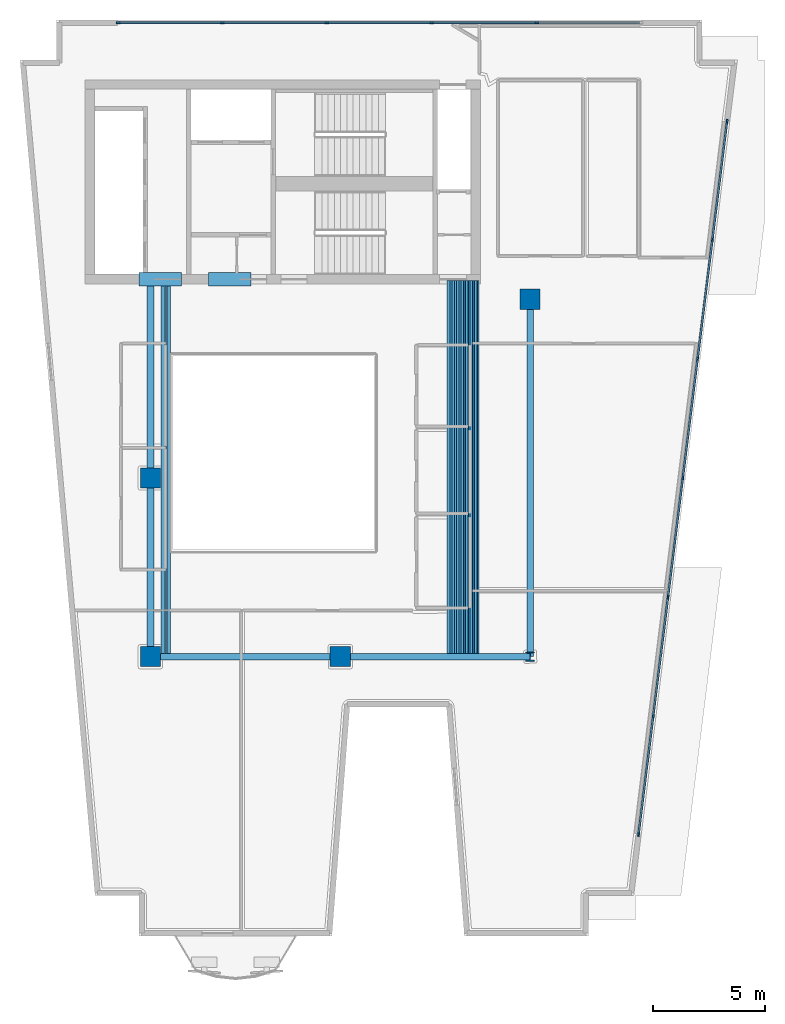
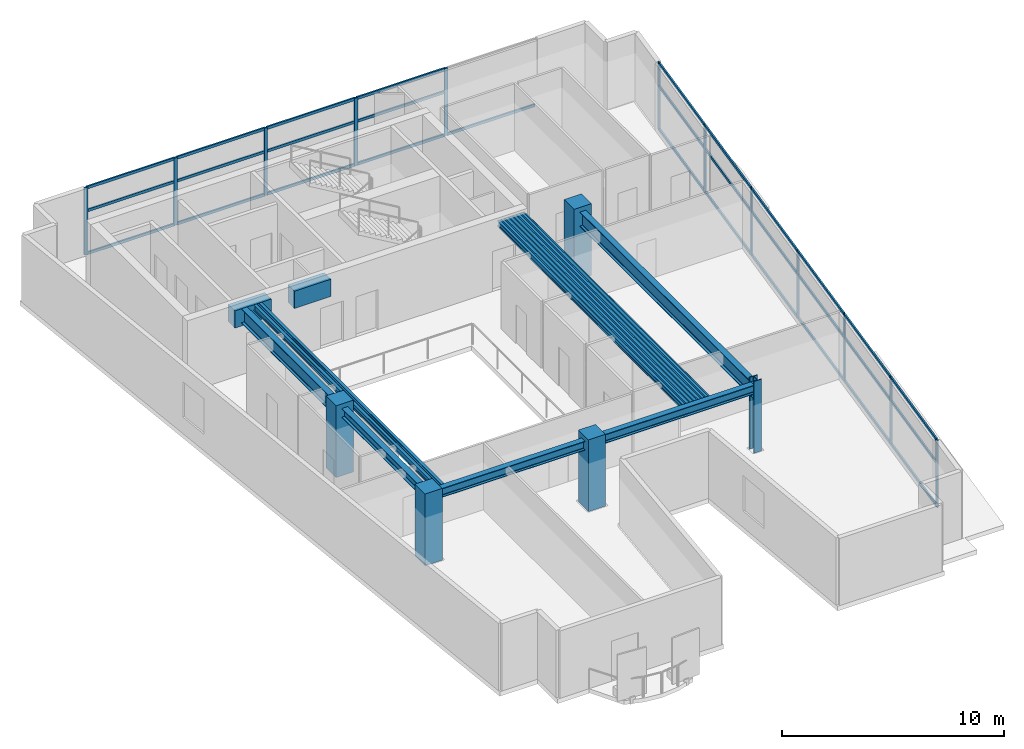
# One storey, part 1 of 8: 43 members, 24 beams, 5 columns, 2 elements without a shape of their own.
"""IFC4 building model written with IfcOpenShell, lengths in metres."""

from ifc_helpers import new_model, si_unit, direction, frame, origin, origin_2d, place, context, subcontext, project, spatial, rectangle, hollow_rectangle, i_section, extrude, material, layer, layer_set, material_profile, profile_set, type_object, element, aggregate, save


model = new_model("IFC4")

# Units and contexts
model_context = context("Model", 3, precision=1e-05, world=origin(), true_north=direction((0.0, 1.0)))
body_context = subcontext(model_context, "Body", "Model", "MODEL_VIEW")
ifc_project = project(units=[si_unit("LENGTHUNIT", "METRE"), si_unit("AREAUNIT", "SQUARE_METRE"), si_unit("VOLUMEUNIT", "CUBIC_METRE"), si_unit("PLANEANGLEUNIT", "RADIAN"), si_unit("MASSUNIT", "GRAM", prefix="KILO")], contexts=[model_context])

# Site, building, storey
site_placement = place(None, origin())
site = spatial("IfcSite", under=ifc_project, at=site_placement, CompositionType="ELEMENT")
building_placement = place(site_placement, origin())
building = spatial("IfcBuilding", under=site, at=building_placement, Name="Caeloran Harvest Quay", CompositionType="ELEMENT")
storey_placement = place(building_placement, frame((0.0, 0.0, 256.699951171875)))
storey = spatial("IfcBuildingStorey", under=building, at=storey_placement, Name="L61", CompositionType="ELEMENT", Elevation=256.699951171875)

# Columns
ifc_material_1 = material(Name="Concrete C60/75", Category="concrete")
ifc_material_profile_1 = material_profile(ifc_material_1, rectangle(XDim=0.89990234375, YDim=0.89990234375, at=origin_2d()), Name="RC 900x900")
ifc_profile_set_1 = profile_set([ifc_material_profile_1], Name="Concrete C60/75")
column_type_1 = type_object("IfcColumnType", Name="COL-MC-4-RC_900x900", PredefinedType="COLUMN", material=ifc_profile_set_1)
for number, where, z_axis, x_axis, name in (
    (1, (8.5, 15.0, 0.0), (0.0, 0.0, 1.0), (1.0, 0.0, 0.0), "L61 Structural Column (8.5, 15.0)"),
    (2, (8.5, 23.0, 0.0), (0.0, 0.0, 1.0), (1.0, 0.0, 0.0), "L61 Structural Column (8.5, 23.0)"),
    (3, (17.0, 15.0, 0.0), (0.0, 0.0, 1.0), (1.0, 0.0, 0.0), "L61 Structural Column (17.0, 15.0)"),
    (4, (25.5, 31.0, 0.0), (0.0, 0.0, 1.0), (1.0, 0.0, 0.0), "L61 Structural Column (25.5, 31.0)"),
):
    element("IfcColumn", number, at=place(storey_placement, frame(where, z_axis=z_axis, x_axis=x_axis)), inside=storey, type_object=column_type_1, Name=name, PredefinedType="COLUMN", context=body_context, shape_type="SweptSolid", body=[
        extrude(rectangle(XDim=0.89990234375, YDim=0.89990234375, at=origin_2d()), origin(), (0.0, 0.0, 1.0), 3.949951171875),
    ])
ifc_material_2 = material(Name="Steel HISTAR 460", Category="steel")
ifc_material_profile_2 = material_profile(ifc_material_2, i_section(OverallWidth=0.406005859375, OverallDepth=0.416015625, WebThickness=0.02978515625, FlangeThickness=0.048095703125, FilletRadius=0.014892578125, at=origin_2d()), Name="HD 400x382")
ifc_profile_set_2 = profile_set([ifc_material_profile_2], Name="Steel HISTAR 460")
column_type_2 = type_object("IfcColumnType", Name="COL-SC-5-HD_400x382", PredefinedType="COLUMN", material=ifc_profile_set_2)
column_placement = place(storey_placement, frame((25.5, 15.0, 0.0), z_axis=(0.0, 0.0, 1.0), x_axis=(1.0, 0.0, 0.0)))
element("IfcColumn", 5, at=column_placement, inside=storey, type_object=column_type_2, Name="L61 Structural Column (25.5, 15.0)", PredefinedType="COLUMN", context=body_context, shape_type="SweptSolid", body=[
    extrude(i_section(OverallWidth=0.406005859375, OverallDepth=0.416015625, WebThickness=0.02978515625, FlangeThickness=0.048095703125, FilletRadius=0.014892578125, at=origin_2d()), origin(), (0.0, 0.0, 1.0), 3.949951171875),
])

# Beams
ifc_material_profile_3 = material_profile(ifc_material_1, rectangle(XDim=0.60009765625, YDim=0.949951171875, at=origin_2d()), Name="RC 600x950")
ifc_profile_set_3 = profile_set([ifc_material_profile_3], Name="Concrete C60/75")
beam_type_1 = type_object("IfcBeamType", Name="BM-CB-2-RC_600x950", PredefinedType="LINTEL", material=ifc_profile_set_3)
for number, where, z_axis, x_axis, name in (
    (6, (8.0, 31.889892578125, 3.22509765625), (1.0, 0.0, 0.0), (0.0, 1.0, 0.0), "L61 Core Coupling Beam 1"),
    (7, (11.10009765625, 31.889892578125, 3.22509765625), (1.0, 0.0, 0.0), (0.0, 1.0, 0.0), "L61 Core Coupling Beam 2"),
):
    element("IfcBeam", number, at=place(storey_placement, frame(where, z_axis=z_axis, x_axis=x_axis)), inside=storey, type_object=beam_type_1, Name=name, PredefinedType="LINTEL", context=body_context, shape_type="SweptSolid", body=[
        extrude(rectangle(XDim=0.60009765625, YDim=0.949951171875, at=origin_2d()), origin(), (0.0, 0.0, 1.0), 1.89990234375),
    ])
ifc_material_3 = material(Name="Steel S355J2", Category="steel")
ifc_material_profile_4 = material_profile(ifc_material_3, i_section(OverallWidth=0.300048828125, OverallDepth=0.800048828125, WebThickness=0.017578125, FlangeThickness=0.032958984375, FilletRadius=0.030029296875, at=origin_2d()), Name="HE 800 B")
ifc_profile_set_4 = profile_set([ifc_material_profile_4], Name="Steel S355J2")
beam_type_2 = type_object("IfcBeamType", Name="BM-PG-1-HE_800_B", PredefinedType="BEAM", material=ifc_profile_set_4)
beam_1_placement = place(storey_placement, frame((8.5, 23.0, 3.300048828125), z_axis=(0.0, 1.0, 0.0), x_axis=(-1.0, 0.0, 0.0)))
element("IfcBeam", 8, at=beam_1_placement, inside=storey, type_object=beam_type_2, Name="L61 Core South Tie Girder X=8.5", PredefinedType="BEAM", context=body_context, shape_type="SweptSolid", body=[
    extrude(i_section(OverallWidth=0.300048828125, OverallDepth=0.800048828125, WebThickness=0.017578125, FlangeThickness=0.032958984375, FilletRadius=0.030029296875, at=origin_2d()), origin(), (0.0, 0.0, 1.0), 8.840087890625),
])
beam_2_placement = place(storey_placement, frame((25.5, 15.0, 3.300048828125), z_axis=(0.0, 1.0, 0.0), x_axis=(-1.0, 0.0, 0.0)))
element("IfcBeam", 9, at=beam_2_placement, inside=storey, type_object=beam_type_2, Name="L61 Primary North-South Girder X=25.5", PredefinedType="BEAM", context=body_context, shape_type="SweptSolid", body=[
    extrude(i_section(OverallWidth=0.300048828125, OverallDepth=0.800048828125, WebThickness=0.017578125, FlangeThickness=0.032958984375, FilletRadius=0.030029296875, at=origin_2d()), origin(), (0.0, 0.0, 1.0), 16.0),
])
ifc_material_profile_5 = material_profile(ifc_material_3, i_section(OverallWidth=0.300048828125, OverallDepth=0.5, WebThickness=0.014404296875, FlangeThickness=0.028076171875, FilletRadius=0.027099609375, at=origin_2d()), Name="HE 500 B")
ifc_profile_set_5 = profile_set([ifc_material_profile_5], Name="Steel S355J2")
beam_type_3 = type_object("IfcBeamType", Name="BM-PG-4-HE_500_B", PredefinedType="BEAM", material=ifc_profile_set_5)
for number, where, z_axis, x_axis, name in (
    (10, (8.5, 15.0, 3.449951171875), (1.0, 0.0, 0.0), (0.0, 1.0, 0.0), "L61 Primary East-West Girder Y=15.0"),
    (11, (17.0, 15.0, 3.449951171875), (1.0, 0.0, 0.0), (0.0, 1.0, 0.0), "L61 Primary East-West Girder Y=15.0"),
):
    element("IfcBeam", number, at=place(storey_placement, frame(where, z_axis=z_axis, x_axis=x_axis)), inside=storey, type_object=beam_type_3, Name=name, PredefinedType="BEAM", context=body_context, shape_type="SweptSolid", body=[
        extrude(i_section(OverallWidth=0.300048828125, OverallDepth=0.5, WebThickness=0.014404296875, FlangeThickness=0.028076171875, FilletRadius=0.027099609375, at=origin_2d()), origin(), (0.0, 0.0, 1.0), 8.5),
    ])
beam_3_placement = place(storey_placement, frame((8.5, 15.0, 3.449951171875), z_axis=(0.0, 1.0, 0.0), x_axis=(-1.0, 0.0, 0.0)))
element("IfcBeam", 12, at=beam_3_placement, inside=storey, type_object=beam_type_3, Name="L61 Primary North-South Girder X=8.5", PredefinedType="BEAM", context=body_context, shape_type="SweptSolid", body=[
    extrude(i_section(OverallWidth=0.300048828125, OverallDepth=0.5, WebThickness=0.014404296875, FlangeThickness=0.028076171875, FilletRadius=0.027099609375, at=origin_2d()), origin(), (0.0, 0.0, 1.0), 8.0),
])
ifc_material_profile_6 = material_profile(ifc_material_3, i_section(OverallWidth=0.14990234375, OverallDepth=0.300048828125, WebThickness=0.007080078125, FlangeThickness=0.0107421875, FilletRadius=0.014892578125, at=origin_2d()), Name="IPE 300")
ifc_profile_set_6 = profile_set([ifc_material_profile_6], Name="Steel S355J2")
beam_type_4 = type_object("IfcBeamType", Name="BM-SB-6-IPE_300", PredefinedType="JOIST", material=ifc_profile_set_6)
for number, where, z_axis, x_axis, name in (
    (13, (9.04833984375, 15.14501953125, 3.550048828125), (0.0, 1.0, 0.0), (-1.0, 0.0, 0.0), "L61 Secondary Composite Joist"),
    (14, (9.322509765625, 15.14501953125, 3.550048828125), (0.0, 1.0, 0.0), (-1.0, 0.0, 0.0), "L61 Secondary Composite Joist"),
    (15, (21.854248046875, 15.14501953125, 3.550048828125), (0.0, 1.0, 0.0), (-1.0, 0.0, 0.0), "L61 Secondary Composite Joist"),
    (16, (22.056396484375, 15.14501953125, 3.550048828125), (0.0, 1.0, 0.0), (-1.0, 0.0, 0.0), "L61 Secondary Composite Joist"),
    (17, (22.2587890625, 15.14501953125, 3.550048828125), (0.0, 1.0, 0.0), (-1.0, 0.0, 0.0), "L61 Secondary Composite Joist"),
    (18, (22.4609375, 15.14501953125, 3.550048828125), (0.0, 1.0, 0.0), (-1.0, 0.0, 0.0), "L61 Secondary Composite Joist"),
    (19, (22.6630859375, 15.14501953125, 3.550048828125), (0.0, 1.0, 0.0), (-1.0, 0.0, 0.0), "L61 Secondary Composite Joist"),
    (20, (22.865478515625, 15.14501953125, 3.550048828125), (0.0, 1.0, 0.0), (-1.0, 0.0, 0.0), "L61 Secondary Composite Joist"),
    (21, (23.067626953125, 15.14501953125, 3.550048828125), (0.0, 1.0, 0.0), (-1.0, 0.0, 0.0), "L61 Secondary Composite Joist"),
):
    element("IfcBeam", number, at=place(storey_placement, frame(where, z_axis=z_axis, x_axis=x_axis)), inside=storey, type_object=beam_type_4, Name=name, PredefinedType="JOIST", context=body_context, shape_type="SweptSolid", body=[
        extrude(i_section(OverallWidth=0.14990234375, OverallDepth=0.300048828125, WebThickness=0.007080078125, FlangeThickness=0.0107421875, FilletRadius=0.014892578125, at=origin_2d()), origin(), (0.0, 0.0, 1.0), 16.695068359375),
    ])
ifc_material_profile_7 = material_profile(ifc_material_3, hollow_rectangle(XDim=0.080078125, YDim=0.199951171875, WallThickness=0.006103515625, InnerFilletRadius=0.006103515625, OuterFilletRadius=0.009033203125, at=origin_2d()), Name="RHS 200x80x6")
ifc_profile_set_7 = profile_set([ifc_material_profile_7], Name="Steel S355J2")
beam_type_5 = type_object("IfcBeamType", Name="BM-SB-7-RHS_200x80x6", PredefinedType="JOIST", material=ifc_profile_set_7)
for number, where, z_axis, x_axis, name in (
    (22, (9.185546875, 15.14501953125, 3.60009765625), (0.0, 1.0, 0.0), (-1.0, 0.0, 0.0), "L61 Secondary Composite Joist"),
    (23, (21.955322265625, 15.14501953125, 3.60009765625), (0.0, 1.0, 0.0), (-1.0, 0.0, 0.0), "L61 Secondary Composite Joist"),
    (24, (22.15771484375, 15.14501953125, 3.60009765625), (0.0, 1.0, 0.0), (-1.0, 0.0, 0.0), "L61 Secondary Composite Joist"),
    (25, (22.35986328125, 15.14501953125, 3.60009765625), (0.0, 1.0, 0.0), (-1.0, 0.0, 0.0), "L61 Secondary Composite Joist"),
    (26, (22.56201171875, 15.14501953125, 3.60009765625), (0.0, 1.0, 0.0), (-1.0, 0.0, 0.0), "L61 Secondary Composite Joist"),
    (27, (22.764404296875, 15.14501953125, 3.60009765625), (0.0, 1.0, 0.0), (-1.0, 0.0, 0.0), "L61 Secondary Composite Joist"),
    (28, (22.966552734375, 15.14501953125, 3.60009765625), (0.0, 1.0, 0.0), (-1.0, 0.0, 0.0), "L61 Secondary Composite Joist"),
    (29, (23.1689453125, 15.14501953125, 3.60009765625), (0.0, 1.0, 0.0), (-1.0, 0.0, 0.0), "L61 Secondary Composite Joist"),
):
    element("IfcBeam", number, at=place(storey_placement, frame(where, z_axis=z_axis, x_axis=x_axis)), inside=storey, type_object=beam_type_5, Name=name, PredefinedType="JOIST", context=body_context, shape_type="SweptSolid", body=[
        extrude(hollow_rectangle(XDim=0.080078125, YDim=0.199951171875, WallThickness=0.006103515625, InnerFilletRadius=0.006103515625, OuterFilletRadius=0.009033203125, at=origin_2d()), origin(), (0.0, 0.0, 1.0), 16.695068359375),
    ])

# Curtain wall, members
ifc_material_4 = material(Name="Aluminium 6063-T6 and Low-E Glazing", Category="aluminium")
ifc_layer = layer(ifc_material_4, 0.219970703125, Name="Aluminium 6063-T6 and Low-E Glazing")
ifc_layer_set = layer_set([ifc_layer], Name="Aluminium 6063-T6 and Low-E Glazing")
curtain_wall_type = type_object("IfcCurtainWallType", Name="CW-SYS-CW-5", PredefinedType="USERDEFINED", material=ifc_layer_set)
curtain_wall_1_placement = place(storey_placement, origin())
curtain_wall_1 = element("IfcCurtainWall", 30, at=curtain_wall_1_placement, inside=storey, type_object=curtain_wall_type, Name="L61 Unitised Curtain Wall CW-5 Run 6", ObjectType="CURTAIN_WALL", PredefinedType="USERDEFINED")
ifc_material_5 = material(Name="Aluminium 6063-T6", Category="aluminium")
ifc_material_profile_8 = material_profile(ifc_material_5, rectangle(XDim=0.080078125, YDim=0.179931640625, at=origin_2d()), Name="CW-MULLION-180")
ifc_profile_set_8 = profile_set([ifc_material_profile_8], Name="Aluminium 6063-T6")
member_type_1 = type_object("IfcMemberType", Name="CW-MULLION-180", PredefinedType="MULLION", material=ifc_profile_set_8)
member_1_placement = place(storey_placement, frame((7.06005859375, 43.3798828125, 0.0), z_axis=(0.0, 0.0, 1.0), x_axis=(0.0, 1.0, 0.0)))
member_1 = element("IfcMember", 31, at=member_1_placement, type_object=member_type_1, Name="CW-5 mullion 1", PredefinedType="MULLION", context=body_context, shape_type="SweptSolid", body=[
    extrude(rectangle(XDim=0.080078125, YDim=0.179931640625, at=origin_2d()), origin(), (0.0, 0.0, 1.0), 3.699951171875),
])
member_2_placement = place(storey_placement, frame((11.7119140625, 43.3798828125, 0.0), z_axis=(0.0, 0.0, 1.0), x_axis=(0.0, 1.0, 0.0)))
member_2 = element("IfcMember", 32, at=member_2_placement, type_object=member_type_1, Name="CW-5 mullion 2", PredefinedType="MULLION", context=body_context, shape_type="SweptSolid", body=[
    extrude(rectangle(XDim=0.080078125, YDim=0.179931640625, at=origin_2d()), origin(), (0.0, 0.0, 1.0), 3.699951171875),
])
member_3_placement = place(storey_placement, frame((16.404052734375, 43.3798828125, 0.0), z_axis=(0.0, 0.0, 1.0), x_axis=(0.0, 1.0, 0.0)))
member_3 = element("IfcMember", 33, at=member_3_placement, type_object=member_type_1, Name="CW-5 mullion 3", PredefinedType="MULLION", context=body_context, shape_type="SweptSolid", body=[
    extrude(rectangle(XDim=0.080078125, YDim=0.179931640625, at=origin_2d()), origin(), (0.0, 0.0, 1.0), 3.699951171875),
])
member_4_placement = place(storey_placement, frame((21.095947265625, 43.3798828125, 0.0), z_axis=(0.0, 0.0, 1.0), x_axis=(0.0, 1.0, 0.0)))
member_4 = element("IfcMember", 34, at=member_4_placement, type_object=member_type_1, Name="CW-5 mullion 4", PredefinedType="MULLION", context=body_context, shape_type="SweptSolid", body=[
    extrude(rectangle(XDim=0.080078125, YDim=0.179931640625, at=origin_2d()), origin(), (0.0, 0.0, 1.0), 3.699951171875),
])
member_5_placement = place(storey_placement, frame((25.7880859375, 43.3798828125, 0.0), z_axis=(0.0, 0.0, 1.0), x_axis=(0.0, 1.0, 0.0)))
member_5 = element("IfcMember", 35, at=member_5_placement, type_object=member_type_1, Name="CW-5 mullion 5", PredefinedType="MULLION", context=body_context, shape_type="SweptSolid", body=[
    extrude(rectangle(XDim=0.080078125, YDim=0.179931640625, at=origin_2d()), origin(), (0.0, 0.0, 1.0), 3.699951171875),
])

curtain_wall_2_placement = place(storey_placement, origin())
curtain_wall_2 = element("IfcCurtainWall", 36, at=curtain_wall_2_placement, inside=storey, type_object=curtain_wall_type, Name="L61 Unitised Curtain Wall CW-5 Run 9", ObjectType="CURTAIN_WALL", PredefinedType="USERDEFINED")
member_6_placement = place(storey_placement, frame((34.315673828125, 38.960205078125, 0.0), z_axis=(0.0, 0.0, 1.0), x_axis=(0.992383054958, -0.123190390176, 0.0)))
member_6 = element("IfcMember", 37, at=member_6_placement, type_object=member_type_1, Name="CW-5 mullion 1", PredefinedType="MULLION", context=body_context, shape_type="SweptSolid", body=[
    extrude(rectangle(XDim=0.080078125, YDim=0.179931640625, at=origin_2d()), origin(), (0.0, 0.0, 1.0), 3.699951171875),
])
member_7_placement = place(storey_placement, frame((33.658447265625, 33.66650390625, 0.0), z_axis=(0.0, 0.0, 1.0), x_axis=(0.992383054958, -0.123190390176, 0.0)))
member_7 = element("IfcMember", 38, at=member_7_placement, type_object=member_type_1, Name="CW-5 mullion 2", PredefinedType="MULLION", context=body_context, shape_type="SweptSolid", body=[
    extrude(rectangle(XDim=0.080078125, YDim=0.179931640625, at=origin_2d()), origin(), (0.0, 0.0, 1.0), 3.699951171875),
])
member_8_placement = place(storey_placement, frame((32.996337890625, 28.333251953125, 0.0), z_axis=(0.0, 0.0, 1.0), x_axis=(0.992383054958, -0.123190390176, 0.0)))
member_8 = element("IfcMember", 39, at=member_8_placement, type_object=member_type_1, Name="CW-5 mullion 3", PredefinedType="MULLION", context=body_context, shape_type="SweptSolid", body=[
    extrude(rectangle(XDim=0.080078125, YDim=0.179931640625, at=origin_2d()), origin(), (0.0, 0.0, 1.0), 3.699951171875),
])
member_9_placement = place(storey_placement, frame((32.334228515625, 23.0, 0.0), z_axis=(0.0, 0.0, 1.0), x_axis=(0.992383054958, -0.123190390176, 0.0)))
member_9 = element("IfcMember", 40, at=member_9_placement, type_object=member_type_1, Name="CW-5 mullion 4", PredefinedType="MULLION", context=body_context, shape_type="SweptSolid", body=[
    extrude(rectangle(XDim=0.080078125, YDim=0.179931640625, at=origin_2d()), origin(), (0.0, 0.0, 1.0), 3.699951171875),
])
member_10_placement = place(storey_placement, frame((31.67236328125, 17.666748046875, 0.0), z_axis=(0.0, 0.0, 1.0), x_axis=(0.992383054958, -0.123190390176, 0.0)))
member_10 = element("IfcMember", 41, at=member_10_placement, type_object=member_type_1, Name="CW-5 mullion 5", PredefinedType="MULLION", context=body_context, shape_type="SweptSolid", body=[
    extrude(rectangle(XDim=0.080078125, YDim=0.179931640625, at=origin_2d()), origin(), (0.0, 0.0, 1.0), 3.699951171875),
])
member_11_placement = place(storey_placement, frame((31.01025390625, 12.33349609375, 0.0), z_axis=(0.0, 0.0, 1.0), x_axis=(0.992383054958, -0.123190390176, 0.0)))
member_11 = element("IfcMember", 42, at=member_11_placement, type_object=member_type_1, Name="CW-5 mullion 6", PredefinedType="MULLION", context=body_context, shape_type="SweptSolid", body=[
    extrude(rectangle(XDim=0.080078125, YDim=0.179931640625, at=origin_2d()), origin(), (0.0, 0.0, 1.0), 3.699951171875),
])
member_12_placement = place(storey_placement, frame((30.35302734375, 7.039794921875, 0.0), z_axis=(0.0, 0.0, 1.0), x_axis=(0.992383054958, -0.123190390176, 0.0)))
member_12 = element("IfcMember", 43, at=member_12_placement, type_object=member_type_1, Name="CW-5 mullion 7", PredefinedType="MULLION", context=body_context, shape_type="SweptSolid", body=[
    extrude(rectangle(XDim=0.080078125, YDim=0.179931640625, at=origin_2d()), origin(), (0.0, 0.0, 1.0), 3.699951171875),
])

# Member
ifc_material_profile_9 = material_profile(ifc_material_5, rectangle(XDim=0.080078125, YDim=0.14990234375, at=origin_2d()), Name="CW-TRANSOM-150")
ifc_profile_set_9 = profile_set([ifc_material_profile_9], Name="Aluminium 6063-T6")
member_type_2 = type_object("IfcMemberType", Name="CW-TRANSOM-150", PredefinedType="USERDEFINED", material=ifc_profile_set_9)
member_13_placement = place(storey_placement, frame((7.10009765625, 43.3798828125, 0.0400390625), z_axis=(1.0, 0.0, 0.0), x_axis=(0.0, 1.0, 0.0)))
member_13 = element("IfcMember", 44, at=member_13_placement, type_object=member_type_2, Name="CW-5 transom 1.1", ObjectType="TRANSOM", PredefinedType="USERDEFINED", context=body_context, shape_type="SweptSolid", body=[
    extrude(rectangle(XDim=0.080078125, YDim=0.14990234375, at=origin_2d()), origin(), (0.0, 0.0, 1.0), 4.572021484375),
])

member_14_placement = place(storey_placement, frame((7.10009765625, 43.3798828125, 2.400146484375), z_axis=(1.0, 0.0, 0.0), x_axis=(0.0, 1.0, 0.0)))
member_14 = element("IfcMember", 45, at=member_14_placement, type_object=member_type_2, Name="CW-5 transom 1.2", ObjectType="TRANSOM", PredefinedType="USERDEFINED", context=body_context, shape_type="SweptSolid", body=[
    extrude(rectangle(XDim=0.080078125, YDim=0.14990234375, at=origin_2d()), origin(), (0.0, 0.0, 1.0), 4.572021484375),
])

member_15_placement = place(storey_placement, frame((7.10009765625, 43.3798828125, 3.66015625), z_axis=(1.0, 0.0, 0.0), x_axis=(0.0, 1.0, 0.0)))
member_15 = element("IfcMember", 46, at=member_15_placement, type_object=member_type_2, Name="CW-5 transom 1.3", ObjectType="TRANSOM", PredefinedType="USERDEFINED", context=body_context, shape_type="SweptSolid", body=[
    extrude(rectangle(XDim=0.080078125, YDim=0.14990234375, at=origin_2d()), origin(), (0.0, 0.0, 1.0), 4.572021484375),
])

member_16_placement = place(storey_placement, frame((11.751953125, 43.3798828125, 0.0400390625), z_axis=(1.0, 0.0, 0.0), x_axis=(0.0, 1.0, 0.0)))
member_16 = element("IfcMember", 47, at=member_16_placement, type_object=member_type_2, Name="CW-5 transom 2.1", ObjectType="TRANSOM", PredefinedType="USERDEFINED", context=body_context, shape_type="SweptSolid", body=[
    extrude(rectangle(XDim=0.080078125, YDim=0.14990234375, at=origin_2d()), origin(), (0.0, 0.0, 1.0), 4.612060546875),
])

member_17_placement = place(storey_placement, frame((11.751953125, 43.3798828125, 2.400146484375), z_axis=(1.0, 0.0, 0.0), x_axis=(0.0, 1.0, 0.0)))
member_17 = element("IfcMember", 48, at=member_17_placement, type_object=member_type_2, Name="CW-5 transom 2.2", ObjectType="TRANSOM", PredefinedType="USERDEFINED", context=body_context, shape_type="SweptSolid", body=[
    extrude(rectangle(XDim=0.080078125, YDim=0.14990234375, at=origin_2d()), origin(), (0.0, 0.0, 1.0), 4.612060546875),
])

member_18_placement = place(storey_placement, frame((11.751953125, 43.3798828125, 3.66015625), z_axis=(1.0, 0.0, 0.0), x_axis=(0.0, 1.0, 0.0)))
member_18 = element("IfcMember", 49, at=member_18_placement, type_object=member_type_2, Name="CW-5 transom 2.3", ObjectType="TRANSOM", PredefinedType="USERDEFINED", context=body_context, shape_type="SweptSolid", body=[
    extrude(rectangle(XDim=0.080078125, YDim=0.14990234375, at=origin_2d()), origin(), (0.0, 0.0, 1.0), 4.612060546875),
])

member_19_placement = place(storey_placement, frame((16.444091796875, 43.3798828125, 0.0400390625), z_axis=(1.0, 0.0, 0.0), x_axis=(0.0, 1.0, 0.0)))
member_19 = element("IfcMember", 50, at=member_19_placement, type_object=member_type_2, Name="CW-5 transom 3.1", ObjectType="TRANSOM", PredefinedType="USERDEFINED", context=body_context, shape_type="SweptSolid", body=[
    extrude(rectangle(XDim=0.080078125, YDim=0.14990234375, at=origin_2d()), origin(), (0.0, 0.0, 1.0), 4.61181640625),
])

member_20_placement = place(storey_placement, frame((16.444091796875, 43.3798828125, 2.400146484375), z_axis=(1.0, 0.0, 0.0), x_axis=(0.0, 1.0, 0.0)))
member_20 = element("IfcMember", 51, at=member_20_placement, type_object=member_type_2, Name="CW-5 transom 3.2", ObjectType="TRANSOM", PredefinedType="USERDEFINED", context=body_context, shape_type="SweptSolid", body=[
    extrude(rectangle(XDim=0.080078125, YDim=0.14990234375, at=origin_2d()), origin(), (0.0, 0.0, 1.0), 4.61181640625),
])

member_21_placement = place(storey_placement, frame((16.444091796875, 43.3798828125, 3.66015625), z_axis=(1.0, 0.0, 0.0), x_axis=(0.0, 1.0, 0.0)))
member_21 = element("IfcMember", 52, at=member_21_placement, type_object=member_type_2, Name="CW-5 transom 3.3", ObjectType="TRANSOM", PredefinedType="USERDEFINED", context=body_context, shape_type="SweptSolid", body=[
    extrude(rectangle(XDim=0.080078125, YDim=0.14990234375, at=origin_2d()), origin(), (0.0, 0.0, 1.0), 4.61181640625),
])

member_22_placement = place(storey_placement, frame((21.135986328125, 43.3798828125, 0.0400390625), z_axis=(1.0, 0.0, 0.0), x_axis=(0.0, 1.0, 0.0)))
member_22 = element("IfcMember", 53, at=member_22_placement, type_object=member_type_2, Name="CW-5 transom 4.1", ObjectType="TRANSOM", PredefinedType="USERDEFINED", context=body_context, shape_type="SweptSolid", body=[
    extrude(rectangle(XDim=0.080078125, YDim=0.14990234375, at=origin_2d()), origin(), (0.0, 0.0, 1.0), 4.612060546875),
])

member_23_placement = place(storey_placement, frame((21.135986328125, 43.3798828125, 2.400146484375), z_axis=(1.0, 0.0, 0.0), x_axis=(0.0, 1.0, 0.0)))
member_23 = element("IfcMember", 54, at=member_23_placement, type_object=member_type_2, Name="CW-5 transom 4.2", ObjectType="TRANSOM", PredefinedType="USERDEFINED", context=body_context, shape_type="SweptSolid", body=[
    extrude(rectangle(XDim=0.080078125, YDim=0.14990234375, at=origin_2d()), origin(), (0.0, 0.0, 1.0), 4.612060546875),
])

member_24_placement = place(storey_placement, frame((21.135986328125, 43.3798828125, 3.66015625), z_axis=(1.0, 0.0, 0.0), x_axis=(0.0, 1.0, 0.0)))
member_24 = element("IfcMember", 55, at=member_24_placement, type_object=member_type_2, Name="CW-5 transom 4.3", ObjectType="TRANSOM", PredefinedType="USERDEFINED", context=body_context, shape_type="SweptSolid", body=[
    extrude(rectangle(XDim=0.080078125, YDim=0.14990234375, at=origin_2d()), origin(), (0.0, 0.0, 1.0), 4.612060546875),
])

member_25_placement = place(storey_placement, frame((25.827880859375, 43.3798828125, 0.0400390625), z_axis=(1.0, 0.0, 0.0), x_axis=(0.0, 1.0, 0.0)))
member_25 = element("IfcMember", 56, at=member_25_placement, type_object=member_type_2, Name="CW-5 transom 5.1", ObjectType="TRANSOM", PredefinedType="USERDEFINED", context=body_context, shape_type="SweptSolid", body=[
    extrude(rectangle(XDim=0.080078125, YDim=0.14990234375, at=origin_2d()), origin(), (0.0, 0.0, 1.0), 4.572021484375),
])

aggregate(curtain_wall_1, [member_1, member_2, member_3, member_4, member_5, member_13, member_14, member_15, member_16, member_17, member_18, member_19, member_20, member_21, member_22, member_23, member_24, member_25])

member_26_placement = place(storey_placement, frame((34.310546875, 38.92041015625, 0.0400390625), z_axis=(-0.123182565602, -0.992384026238, 0.0), x_axis=(0.992384026238, -0.123182565602, 0.0)))
member_26 = element("IfcMember", 57, at=member_26_placement, type_object=member_type_2, Name="CW-5 transom 1.1", ObjectType="TRANSOM", PredefinedType="USERDEFINED", context=body_context, shape_type="SweptSolid", body=[
    extrude(rectangle(XDim=0.080078125, YDim=0.14990234375, at=origin_2d()), origin(), (0.0, 0.0, 1.0), 5.254150390625),
])

member_27_placement = place(storey_placement, frame((34.310546875, 38.92041015625, 2.400146484375), z_axis=(-0.123182565602, -0.992384026238, 0.0), x_axis=(0.992384026238, -0.123182565602, 0.0)))
member_27 = element("IfcMember", 58, at=member_27_placement, type_object=member_type_2, Name="CW-5 transom 1.2", ObjectType="TRANSOM", PredefinedType="USERDEFINED", context=body_context, shape_type="SweptSolid", body=[
    extrude(rectangle(XDim=0.080078125, YDim=0.14990234375, at=origin_2d()), origin(), (0.0, 0.0, 1.0), 5.254150390625),
])

member_28_placement = place(storey_placement, frame((34.310546875, 38.92041015625, 3.66015625), z_axis=(-0.123182565602, -0.992384026238, 0.0), x_axis=(0.992384026238, -0.123182565602, 0.0)))
member_28 = element("IfcMember", 59, at=member_28_placement, type_object=member_type_2, Name="CW-5 transom 1.3", ObjectType="TRANSOM", PredefinedType="USERDEFINED", context=body_context, shape_type="SweptSolid", body=[
    extrude(rectangle(XDim=0.080078125, YDim=0.14990234375, at=origin_2d()), origin(), (0.0, 0.0, 1.0), 5.254150390625),
])

member_29_placement = place(storey_placement, frame((33.653564453125, 33.626953125, 0.0400390625), z_axis=(-0.12321740526, -0.992379701042, 0.0), x_axis=(0.992379701042, -0.12321740526, 0.0)))
member_29 = element("IfcMember", 60, at=member_29_placement, type_object=member_type_2, Name="CW-5 transom 2.1", ObjectType="TRANSOM", PredefinedType="USERDEFINED", context=body_context, shape_type="SweptSolid", body=[
    extrude(rectangle(XDim=0.080078125, YDim=0.14990234375, at=origin_2d()), origin(), (0.0, 0.0, 1.0), 5.294189453125),
])

member_30_placement = place(storey_placement, frame((33.653564453125, 33.626953125, 2.400146484375), z_axis=(-0.12321740526, -0.992379701042, 0.0), x_axis=(0.992379701042, -0.12321740526, 0.0)))
member_30 = element("IfcMember", 61, at=member_30_placement, type_object=member_type_2, Name="CW-5 transom 2.2", ObjectType="TRANSOM", PredefinedType="USERDEFINED", context=body_context, shape_type="SweptSolid", body=[
    extrude(rectangle(XDim=0.080078125, YDim=0.14990234375, at=origin_2d()), origin(), (0.0, 0.0, 1.0), 5.294189453125),
])

member_31_placement = place(storey_placement, frame((33.653564453125, 33.626953125, 3.66015625), z_axis=(-0.12321740526, -0.992379701042, 0.0), x_axis=(0.992379701042, -0.12321740526, 0.0)))
member_31 = element("IfcMember", 62, at=member_31_placement, type_object=member_type_2, Name="CW-5 transom 2.3", ObjectType="TRANSOM", PredefinedType="USERDEFINED", context=body_context, shape_type="SweptSolid", body=[
    extrude(rectangle(XDim=0.080078125, YDim=0.14990234375, at=origin_2d()), origin(), (0.0, 0.0, 1.0), 5.294189453125),
])

member_32_placement = place(storey_placement, frame((32.991455078125, 28.29345703125, 0.0400390625), z_axis=(-0.123177627733, -0.992384639153, 0.0), x_axis=(0.992384639153, -0.123177627733, 0.0)))
member_32 = element("IfcMember", 63, at=member_32_placement, type_object=member_type_2, Name="CW-5 transom 3.1", ObjectType="TRANSOM", PredefinedType="USERDEFINED", context=body_context, shape_type="SweptSolid", body=[
    extrude(rectangle(XDim=0.080078125, YDim=0.14990234375, at=origin_2d()), origin(), (0.0, 0.0, 1.0), 5.2939453125),
])

member_33_placement = place(storey_placement, frame((32.991455078125, 28.29345703125, 2.400146484375), z_axis=(-0.123177627733, -0.992384639153, 0.0), x_axis=(0.992384639153, -0.123177627733, 0.0)))
member_33 = element("IfcMember", 64, at=member_33_placement, type_object=member_type_2, Name="CW-5 transom 3.2", ObjectType="TRANSOM", PredefinedType="USERDEFINED", context=body_context, shape_type="SweptSolid", body=[
    extrude(rectangle(XDim=0.080078125, YDim=0.14990234375, at=origin_2d()), origin(), (0.0, 0.0, 1.0), 5.2939453125),
])

member_34_placement = place(storey_placement, frame((32.991455078125, 28.29345703125, 3.66015625), z_axis=(-0.123177627733, -0.992384639153, 0.0), x_axis=(0.992384639153, -0.123177627733, 0.0)))
member_34 = element("IfcMember", 65, at=member_34_placement, type_object=member_type_2, Name="CW-5 transom 3.3", ObjectType="TRANSOM", PredefinedType="USERDEFINED", context=body_context, shape_type="SweptSolid", body=[
    extrude(rectangle(XDim=0.080078125, YDim=0.14990234375, at=origin_2d()), origin(), (0.0, 0.0, 1.0), 5.2939453125),
])

member_35_placement = place(storey_placement, frame((32.329345703125, 22.960205078125, 0.0400390625), z_axis=(-0.123177627733, -0.992384639153, 0.0), x_axis=(0.992384639153, -0.123177627733, 0.0)))
member_35 = element("IfcMember", 66, at=member_35_placement, type_object=member_type_2, Name="CW-5 transom 4.1", ObjectType="TRANSOM", PredefinedType="USERDEFINED", context=body_context, shape_type="SweptSolid", body=[
    extrude(rectangle(XDim=0.080078125, YDim=0.14990234375, at=origin_2d()), origin(), (0.0, 0.0, 1.0), 5.2939453125),
])

member_36_placement = place(storey_placement, frame((32.329345703125, 22.960205078125, 2.400146484375), z_axis=(-0.123177627733, -0.992384639153, 0.0), x_axis=(0.992384639153, -0.123177627733, 0.0)))
member_36 = element("IfcMember", 67, at=member_36_placement, type_object=member_type_2, Name="CW-5 transom 4.2", ObjectType="TRANSOM", PredefinedType="USERDEFINED", context=body_context, shape_type="SweptSolid", body=[
    extrude(rectangle(XDim=0.080078125, YDim=0.14990234375, at=origin_2d()), origin(), (0.0, 0.0, 1.0), 5.2939453125),
])

member_37_placement = place(storey_placement, frame((32.329345703125, 22.960205078125, 3.66015625), z_axis=(-0.123177627733, -0.992384639153, 0.0), x_axis=(0.992384639153, -0.123177627733, 0.0)))
member_37 = element("IfcMember", 68, at=member_37_placement, type_object=member_type_2, Name="CW-5 transom 4.3", ObjectType="TRANSOM", PredefinedType="USERDEFINED", context=body_context, shape_type="SweptSolid", body=[
    extrude(rectangle(XDim=0.080078125, YDim=0.14990234375, at=origin_2d()), origin(), (0.0, 0.0, 1.0), 5.2939453125),
])

member_38_placement = place(storey_placement, frame((31.66748046875, 17.626953125, 0.0400390625), z_axis=(-0.12321740526, -0.992379701042, 0.0), x_axis=(0.992379701042, -0.12321740526, 0.0)))
member_38 = element("IfcMember", 69, at=member_38_placement, type_object=member_type_2, Name="CW-5 transom 5.1", ObjectType="TRANSOM", PredefinedType="USERDEFINED", context=body_context, shape_type="SweptSolid", body=[
    extrude(rectangle(XDim=0.080078125, YDim=0.14990234375, at=origin_2d()), origin(), (0.0, 0.0, 1.0), 5.294189453125),
])

member_39_placement = place(storey_placement, frame((31.66748046875, 17.626953125, 2.400146484375), z_axis=(-0.12321740526, -0.992379701042, 0.0), x_axis=(0.992379701042, -0.12321740526, 0.0)))
member_39 = element("IfcMember", 70, at=member_39_placement, type_object=member_type_2, Name="CW-5 transom 5.2", ObjectType="TRANSOM", PredefinedType="USERDEFINED", context=body_context, shape_type="SweptSolid", body=[
    extrude(rectangle(XDim=0.080078125, YDim=0.14990234375, at=origin_2d()), origin(), (0.0, 0.0, 1.0), 5.294189453125),
])

member_40_placement = place(storey_placement, frame((31.66748046875, 17.626953125, 3.66015625), z_axis=(-0.12321740526, -0.992379701042, 0.0), x_axis=(0.992379701042, -0.12321740526, 0.0)))
member_40 = element("IfcMember", 71, at=member_40_placement, type_object=member_type_2, Name="CW-5 transom 5.3", ObjectType="TRANSOM", PredefinedType="USERDEFINED", context=body_context, shape_type="SweptSolid", body=[
    extrude(rectangle(XDim=0.080078125, YDim=0.14990234375, at=origin_2d()), origin(), (0.0, 0.0, 1.0), 5.294189453125),
])

member_41_placement = place(storey_placement, frame((31.00537109375, 12.293701171875, 0.0400390625), z_axis=(-0.123182565602, -0.992384026238, 0.0), x_axis=(0.992384026238, -0.123182565602, 0.0)))
member_41 = element("IfcMember", 72, at=member_41_placement, type_object=member_type_2, Name="CW-5 transom 6.1", ObjectType="TRANSOM", PredefinedType="USERDEFINED", context=body_context, shape_type="SweptSolid", body=[
    extrude(rectangle(XDim=0.080078125, YDim=0.14990234375, at=origin_2d()), origin(), (0.0, 0.0, 1.0), 5.254150390625),
])

member_42_placement = place(storey_placement, frame((31.00537109375, 12.293701171875, 2.400146484375), z_axis=(-0.123182565602, -0.992384026238, 0.0), x_axis=(0.992384026238, -0.123182565602, 0.0)))
member_42 = element("IfcMember", 73, at=member_42_placement, type_object=member_type_2, Name="CW-5 transom 6.2", ObjectType="TRANSOM", PredefinedType="USERDEFINED", context=body_context, shape_type="SweptSolid", body=[
    extrude(rectangle(XDim=0.080078125, YDim=0.14990234375, at=origin_2d()), origin(), (0.0, 0.0, 1.0), 5.254150390625),
])

member_43_placement = place(storey_placement, frame((31.00537109375, 12.293701171875, 3.66015625), z_axis=(-0.123182565602, -0.992384026238, 0.0), x_axis=(0.992384026238, -0.123182565602, 0.0)))
member_43 = element("IfcMember", 74, at=member_43_placement, type_object=member_type_2, Name="CW-5 transom 6.3", ObjectType="TRANSOM", PredefinedType="USERDEFINED", context=body_context, shape_type="SweptSolid", body=[
    extrude(rectangle(XDim=0.080078125, YDim=0.14990234375, at=origin_2d()), origin(), (0.0, 0.0, 1.0), 5.254150390625),
])

aggregate(curtain_wall_2, [member_6, member_7, member_8, member_9, member_10, member_11, member_12, member_26, member_27, member_28, member_29, member_30, member_31, member_32, member_33, member_34, member_35, member_36, member_37, member_38, member_39, member_40, member_41, member_42, member_43])

save(model, "model.ifc")
